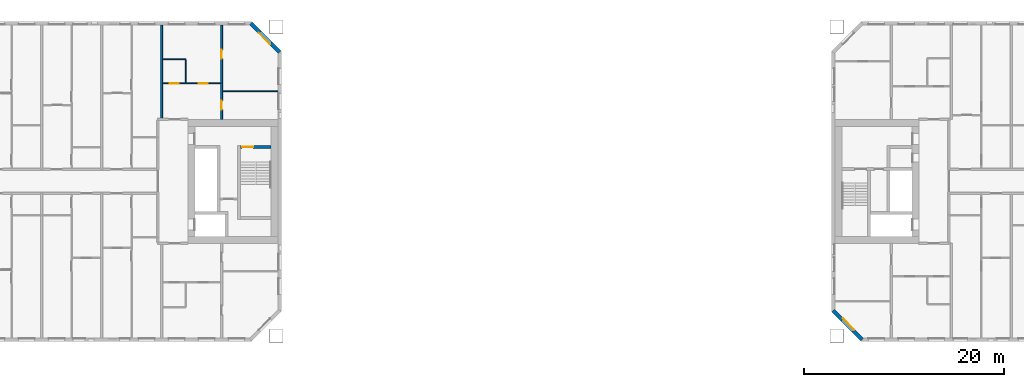
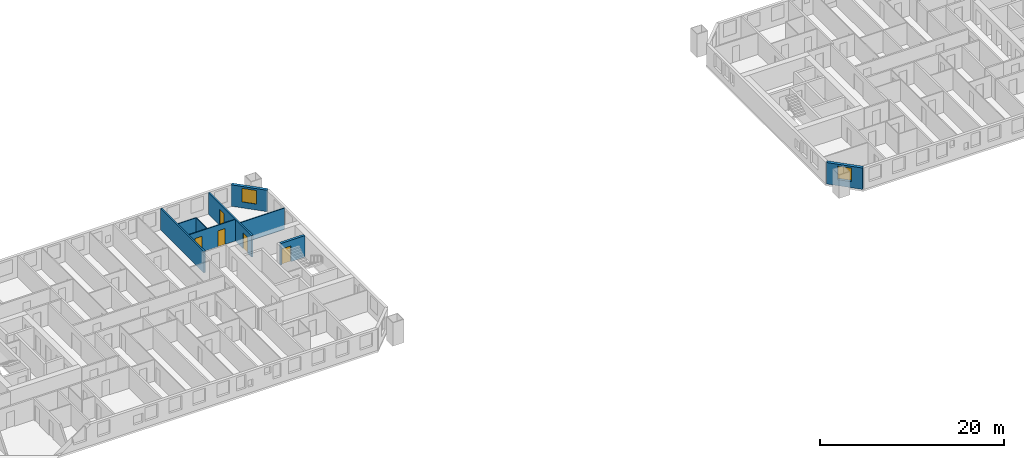
# One storey, part 8 of 17: 9 walls, 5 doors, 2 windows, 7 openings.
"""IFC4 building model written with IfcOpenShell, lengths in metres."""

from ifc_helpers import new_model, si_unit, direction, frame, frame_2d, origin, place, context, subcontext, project, spatial, rectangle, extrude, material, layer, layer_set, type_object, element, fill, save


model = new_model("IFC4")

# Units and contexts
model_context = context("Model", 3, precision=1e-05, world=origin(), true_north=direction((0.0, 1.0)))
body_context = subcontext(model_context, "Body", "Model", "MODEL_VIEW")
ifc_project = project(units=[si_unit("LENGTHUNIT", "METRE"), si_unit("AREAUNIT", "SQUARE_METRE"), si_unit("VOLUMEUNIT", "CUBIC_METRE"), si_unit("PLANEANGLEUNIT", "RADIAN"), si_unit("MASSUNIT", "GRAM", prefix="KILO")], contexts=[model_context])

# Site, building, storey
site_placement = place(None, origin())
site = spatial("IfcSite", under=ifc_project, at=site_placement, CompositionType="ELEMENT")
building_placement = place(site_placement, origin())
building = spatial("IfcBuilding", under=site, at=building_placement, Name="Tuart Gate Housing", CompositionType="ELEMENT")
storey_placement = place(building_placement, frame((0.0, 0.0, 80.89990234375)))
storey = spatial("IfcBuildingStorey", under=building, at=storey_placement, Name="L22", CompositionType="ELEMENT", Elevation=80.89990234375)

# Wall, opening, window
ifc_material_1 = material(Name="Brick", Category="masonry")
ifc_layer_1 = layer(ifc_material_1, 0.360107421875)
ifc_layer_set_1 = layer_set([ifc_layer_1], Name="Brick pier and spandrel wall 360")
wall_type_1 = type_object("IfcWallType", Name="Brick pier and spandrel wall 360", PredefinedType="STANDARD", material=ifc_layer_set_1)
wall_1_placement = place(storey_placement, frame((75.820068359375, 82.92529296875, 0.0), z_axis=(0.0, 0.0, 1.0), x_axis=(-0.707106781187, 0.707106781187, 0.0)))
wall_1 = element("IfcWall", 1, at=wall_1_placement, inside=storey, type_object=wall_type_1, Name="External wall A-NE L22", PredefinedType="STANDARD", context=body_context, shape_type="SweptSolid", body=[
    extrude(rectangle(XDim=4.09375, YDim=0.360107421875, at=frame_2d((2.046875, 0.0))), origin(), (0.0, 0.0, 1.0), 2.85009765625),
])
opening_1_placement = place(wall_1_placement, frame((1.2470703125, 0.0, 0.800048828125)))
opening_1 = element("IfcOpeningElement", 2, at=opening_1_placement, cuts=wall_1, Name="Opening W1", PredefinedType="OPENING", context=body_context, shape_type="SweptSolid", body=[
    extrude(rectangle(XDim=1.60009765625, YDim=1.800048828125, at=frame_2d((0.800048828125, 0.89990234375))), frame((0.0, 0.18994140625, 0.0), z_axis=(0.0, -1.0, 0.0), x_axis=(1.0, 0.0, 0.0)), (0.0, 0.0, 1.0), 0.380126953125),
])
ifc_material_2 = material(Name="Aluminium frame with clear glass", Category="aluminium")
window_type = type_object("IfcWindowType", Name="Punched window 1600 x 1800", PartitioningType="SINGLE_PANEL", PredefinedType="WINDOW", material=ifc_material_2)
window_1_placement = place(opening_1_placement, origin())
window_1 = element("IfcWindow", 3, at=window_1_placement, inside=storey, type_object=window_type, Name="Window W1", OverallHeight=1.800048828125, OverallWidth=1.60009765625, PartitioningType="SINGLE_PANEL", PredefinedType="WINDOW", context=body_context, shape_type="SweptSolid", body=[
    extrude(rectangle(XDim=1.60009765625, YDim=1.800048828125, at=frame_2d((0.800048828125, 0.89990234375))), frame((0.0, 0.150146484375, 0.0), z_axis=(0.0, -1.0, 0.0), x_axis=(1.0, 0.0, 0.0)), (0.0, 0.0, 1.0), 0.06005859375),
])
fill(opening_1, window_1)

wall_2_placement = place(storey_placement, frame((131.179931640625, 57.07470703125, 0.0), z_axis=(0.0, 0.0, 1.0), x_axis=(0.707106781187, -0.707106781187, 0.0)))
wall_2 = element("IfcWall", 4, at=wall_2_placement, inside=storey, type_object=wall_type_1, Name="External wall B-SW L22", PredefinedType="STANDARD", context=body_context, shape_type="SweptSolid", body=[
    extrude(rectangle(XDim=4.09375, YDim=0.360107421875, at=frame_2d((2.046875, 0.0))), origin(), (0.0, 0.0, 1.0), 2.85009765625),
])
opening_2_placement = place(wall_2_placement, frame((1.2470703125, 0.0, 0.800048828125)))
opening_2 = element("IfcOpeningElement", 5, at=opening_2_placement, cuts=wall_2, Name="Opening W1", PredefinedType="OPENING", context=body_context, shape_type="SweptSolid", body=[
    extrude(rectangle(XDim=1.60009765625, YDim=1.800048828125, at=frame_2d((0.800048828125, 0.89990234375))), frame((0.0, 0.18994140625, 0.0), z_axis=(0.0, -1.0, 0.0), x_axis=(1.0, 0.0, 0.0)), (0.0, 0.0, 1.0), 0.380126953125),
])
window_2_placement = place(opening_2_placement, origin())
window_2 = element("IfcWindow", 6, at=window_2_placement, inside=storey, type_object=window_type, Name="Window W1", OverallHeight=1.800048828125, OverallWidth=1.60009765625, PartitioningType="SINGLE_PANEL", PredefinedType="WINDOW", context=body_context, shape_type="SweptSolid", body=[
    extrude(rectangle(XDim=1.60009765625, YDim=1.800048828125, at=frame_2d((0.800048828125, 0.89990234375))), frame((0.0, 0.150146484375, 0.0), z_axis=(0.0, -1.0, 0.0), x_axis=(1.0, 0.0, 0.0)), (0.0, 0.0, 1.0), 0.06005859375),
])
fill(opening_2, window_2)

# Wall, opening, door
ifc_material_3 = material(Name="Concrete C50", Category="concrete")
ifc_layer_2 = layer(ifc_material_3, 0.300048828125)
ifc_layer_set_2 = layer_set([ifc_layer_2], Name="Core wall 300 C50")
wall_type_2 = type_object("IfcWallType", Name="Core wall 300 C50", PredefinedType="SHEAR", material=ifc_layer_set_2)
wall_3_placement = place(storey_placement, frame((71.889892578125, 73.449951171875, 0.0), z_axis=(0.0, 0.0, 1.0), x_axis=(1.0, 0.0, 0.0)))
wall_3 = element("IfcWall", 7, at=wall_3_placement, inside=storey, type_object=wall_type_2, Name="Core wall AG.5", PredefinedType="SHEAR", context=body_context, shape_type="SweptSolid", body=[
    extrude(rectangle(XDim=3.050048828125, YDim=0.300048828125, at=frame_2d((1.52490234375, 0.0))), origin(), (0.0, 0.0, 1.0), 2.85009765625),
])
opening_3_placement = place(wall_3_placement, frame((0.169921875, 0.0, 0.0)))
opening_3 = element("IfcOpeningElement", 8, at=opening_3_placement, cuts=wall_3, Name="Opening D974", PredefinedType="OPENING", context=body_context, shape_type="SweptSolid", body=[
    extrude(rectangle(XDim=1.10009765625, YDim=2.10009765625, at=frame_2d((0.550048828125, 1.050048828125))), frame((0.0, 0.159912109375, 0.0), z_axis=(0.0, -1.0, 0.0), x_axis=(1.0, 0.0, 0.0)), (0.0, 0.0, 1.0), 0.320068359375),
])
ifc_material_4 = material(Name="Steel fire door", Category="steel")
door_type_1 = type_object("IfcDoorType", Name="Stair door 1100 x 2100 RH", OperationType="SINGLE_SWING_RIGHT", PredefinedType="DOOR", material=ifc_material_4)
door_1_placement = place(opening_3_placement, frame((1.10009765625, 0.0, 0.0), z_axis=(0.0, 0.0, 1.0), x_axis=(-1.0, 0.0, 0.0)))
door_1 = element("IfcDoor", 9, at=door_1_placement, inside=storey, type_object=door_type_1, Name="Stair door AG.SD", OperationType="SINGLE_SWING_RIGHT", OverallHeight=2.10009765625, OverallWidth=1.10009765625, PredefinedType="DOOR", context=body_context, shape_type="SweptSolid", body=[
    extrude(rectangle(XDim=1.10009765625, YDim=2.10009765625, at=frame_2d((0.550048828125, 1.050048828125))), frame((0.0, 0.025146484375, 0.0), z_axis=(0.0, -1.0, 0.0), x_axis=(1.0, 0.0, 0.0)), (0.0, 0.0, 1.0), 0.050048828125),
])
fill(opening_3, door_1)

# Wall
ifc_material_5 = material(Name="Gypsum board on steel studs", Category="steel")
ifc_layer_3 = layer(ifc_material_5, 0.10009765625)
ifc_layer_set_3 = layer_set([ifc_layer_3], Name="Partition 100")
wall_type_3 = type_object("IfcWallType", Name="Partition 100", PredefinedType="PARTITIONING", material=ifc_layer_set_3)
wall_4_placement = place(storey_placement, frame((70.10009765625, 79.0, 0.0), z_axis=(0.0, 0.0, 1.0), x_axis=(1.0, 0.0, 0.0)))
element("IfcWall", 10, at=wall_4_placement, inside=storey, type_object=wall_type_3, Name="Partition 100", PredefinedType="PARTITIONING", context=body_context, shape_type="SweptSolid", body=[
    extrude(rectangle(XDim=5.539794921875, YDim=0.10009765625, at=frame_2d((2.77001953125, 0.0))), origin(), (0.0, 0.0, 1.0), 2.85009765625),
])

# Wall, openings, doors
wall_5_placement = place(storey_placement, frame((64.10009765625, 79.800048828125, 0.0), z_axis=(0.0, 0.0, 1.0), x_axis=(1.0, 0.0, 0.0)))
wall_5 = element("IfcWall", 11, at=wall_5_placement, inside=storey, type_object=wall_type_3, Name="Partition 100", PredefinedType="PARTITIONING", context=body_context, shape_type="SweptSolid", body=[
    extrude(rectangle(XDim=5.7998046875, YDim=0.10009765625, at=frame_2d((2.89990234375, 0.0))), origin(), (0.0, 0.0, 1.0), 2.85009765625),
])
opening_4_placement = place(wall_5_placement, frame((3.60009765625, 0.0, 0.0)))
opening_4 = element("IfcOpeningElement", 12, at=opening_4_placement, cuts=wall_5, Name="Opening D958", PredefinedType="OPENING", context=body_context, shape_type="SweptSolid", body=[
    extrude(rectangle(XDim=0.89990234375, YDim=2.10009765625, at=frame_2d((0.449951171875, 1.050048828125))), frame((0.0, 0.06005859375, 0.0), z_axis=(0.0, -1.0, 0.0), x_axis=(1.0, 0.0, 0.0)), (0.0, 0.0, 1.0), 0.1201171875),
])
opening_5_placement = place(wall_5_placement, frame((0.699951171875, 0.0, 0.0)))
opening_5 = element("IfcOpeningElement", 13, at=opening_5_placement, cuts=wall_5, Name="Opening D957", PredefinedType="OPENING", context=body_context, shape_type="SweptSolid", body=[
    extrude(rectangle(XDim=0.89990234375, YDim=2.10009765625, at=frame_2d((0.449951171875, 1.050048828125))), frame((0.0, 0.06005859375, 0.0), z_axis=(0.0, -1.0, 0.0), x_axis=(1.0, 0.0, 0.0)), (0.0, 0.0, 1.0), 0.1201171875),
])
ifc_material_6 = material(Name="Timber door leaf in steel frame", Category="steel")
door_type_2 = type_object("IfcDoorType", Name="Bathroom door 900 RH", OperationType="SINGLE_SWING_RIGHT", PredefinedType="DOOR", material=ifc_material_6)
door_2_placement = place(opening_5_placement, origin())
door_2 = element("IfcDoor", 14, at=door_2_placement, inside=storey, type_object=door_type_2, Name="Bathroom door", OperationType="SINGLE_SWING_RIGHT", OverallHeight=2.10009765625, OverallWidth=0.89990234375, PredefinedType="DOOR", context=body_context, shape_type="SweptSolid", body=[
    extrude(rectangle(XDim=0.89990234375, YDim=2.10009765625, at=frame_2d((0.449951171875, 1.050048828125))), frame((0.0, 0.02490234375, 0.0), z_axis=(0.0, -1.0, 0.0), x_axis=(1.0, 0.0, 0.0)), (0.0, 0.0, 1.0), 0.050048828125),
])
fill(opening_5, door_2)
ifc_material_7 = material(Name="Timber door leaf in steel frame", Category="steel")
door_type_3 = type_object("IfcDoorType", Name="Internal door 900", OperationType="SINGLE_SWING_LEFT", PredefinedType="DOOR", material=ifc_material_7)
door_3_placement = place(opening_4_placement, frame((0.89990234375, 0.0, 0.0), z_axis=(0.0, 0.0, 1.0), x_axis=(-1.0, 0.0, 0.0)))
door_3 = element("IfcDoor", 15, at=door_3_placement, inside=storey, type_object=door_type_3, Name="Internal door", OperationType="SINGLE_SWING_LEFT", OverallHeight=2.10009765625, OverallWidth=0.89990234375, PredefinedType="DOOR", context=body_context, shape_type="SweptSolid", body=[
    extrude(rectangle(XDim=0.89990234375, YDim=2.10009765625, at=frame_2d((0.449951171875, 1.050048828125))), frame((0.0, 0.025146484375, 0.0), z_axis=(0.0, -1.0, 0.0), x_axis=(1.0, 0.0, 0.0)), (0.0, 0.0, 1.0), 0.050048828125),
])
fill(opening_4, door_3)

# Walls
for number, where, z_axis, x_axis, name in (
    (16, (64.10009765625, 82.199951171875, 0.0), (0.0, 0.0, 1.0), (1.0, 0.0, 0.0), "Partition 100"),
    (17, (66.39990234375, 79.85009765625, 0.0), (0.0, 0.0, 1.0), (0.0, 1.0, 0.0), "Partition 100"),
):
    element("IfcWall", number, at=place(storey_placement, frame(where, z_axis=z_axis, x_axis=x_axis)), inside=storey, type_object=wall_type_3, Name=name, PredefinedType="PARTITIONING", context=body_context, shape_type="SweptSolid", body=[
        extrude(rectangle(XDim=2.2998046875, YDim=0.10009765625, at=frame_2d((1.14990234375, 0.0))), origin(), (0.0, 0.0, 1.0), 2.85009765625),
    ])
ifc_material_8 = material(Name="Concrete C40", Category="concrete")
ifc_layer_4 = layer(ifc_material_8, 0.199951171875)
ifc_layer_set_4 = layer_set([ifc_layer_4], Name="Party wall concrete C40 200")
wall_type_4 = type_object("IfcWallType", Name="Party wall concrete C40 200", PredefinedType="SOLIDWALL", material=ifc_layer_set_4)
wall_6_placement = place(storey_placement, frame((64.0, 76.199951171875, 0.0), z_axis=(0.0, 0.0, 1.0), x_axis=(0.0, 1.0, 0.0)))
element("IfcWall", 18, at=wall_6_placement, inside=storey, type_object=wall_type_4, Name="Party wall concrete C40 200", PredefinedType="SOLIDWALL", context=body_context, shape_type="SweptSolid", body=[
    extrude(rectangle(XDim=9.43994140625, YDim=0.199951171875, at=frame_2d((4.719970703125, 0.0))), origin(), (0.0, 0.0, 1.0), 2.85009765625),
])

# Wall, openings, doors
wall_7_placement = place(storey_placement, frame((70.0, 76.199951171875, 0.0), z_axis=(0.0, 0.0, 1.0), x_axis=(0.0, 1.0, 0.0)))
wall_7 = element("IfcWall", 19, at=wall_7_placement, inside=storey, type_object=wall_type_4, Name="Party wall concrete C40 200", PredefinedType="SOLIDWALL", context=body_context, shape_type="SweptSolid", body=[
    extrude(rectangle(XDim=9.43994140625, YDim=0.199951171875, at=frame_2d((4.719970703125, 0.0))), origin(), (0.0, 0.0, 1.0), 2.85009765625),
])
opening_6_placement = place(wall_7_placement, frame((6.070068359375, 0.0, 0.0)))
opening_6 = element("IfcOpeningElement", 20, at=opening_6_placement, cuts=wall_7, Name="Opening D955", PredefinedType="OPENING", context=body_context, shape_type="SweptSolid", body=[
    extrude(rectangle(XDim=0.89990234375, YDim=2.10009765625, at=frame_2d((0.449951171875, 1.050048828125))), frame((0.0, 0.10986328125, 0.0), z_axis=(0.0, -1.0, 0.0), x_axis=(1.0, 0.0, 0.0)), (0.0, 0.0, 1.0), 0.219970703125),
])
opening_7_placement = place(wall_7_placement, frame((0.949951171875, 0.0, 0.0)))
opening_7 = element("IfcOpeningElement", 21, at=opening_7_placement, cuts=wall_7, Name="Opening D956", PredefinedType="OPENING", context=body_context, shape_type="SweptSolid", body=[
    extrude(rectangle(XDim=0.89990234375, YDim=2.10009765625, at=frame_2d((0.449951171875, 1.050048828125))), frame((0.0, 0.10986328125, 0.0), z_axis=(0.0, -1.0, 0.0), x_axis=(1.0, 0.0, 0.0)), (0.0, 0.0, 1.0), 0.219970703125),
])
door_4_placement = place(opening_6_placement, frame((0.89990234375, 0.0, 0.0), z_axis=(0.0, 0.0, 1.0), x_axis=(-1.0, 0.0, 0.0)))
door_4 = element("IfcDoor", 22, at=door_4_placement, inside=storey, type_object=door_type_3, Name="Internal door", OperationType="SINGLE_SWING_LEFT", OverallHeight=2.10009765625, OverallWidth=0.89990234375, PredefinedType="DOOR", context=body_context, shape_type="SweptSolid", body=[
    extrude(rectangle(XDim=0.89990234375, YDim=2.10009765625, at=frame_2d((0.449951171875, 1.050048828125))), frame((0.0, 0.025146484375, 0.0), z_axis=(0.0, -1.0, 0.0), x_axis=(1.0, 0.0, 0.0)), (0.0, 0.0, 1.0), 0.050048828125),
])
fill(opening_6, door_4)
ifc_material_9 = material(Name="Timber door leaf in steel frame", Category="steel")
door_type_4 = type_object("IfcDoorType", Name="Internal door 900 RH", OperationType="SINGLE_SWING_RIGHT", PredefinedType="DOOR", material=ifc_material_9)
door_5_placement = place(opening_7_placement, frame((0.89990234375, 0.0, 0.0), z_axis=(0.0, 0.0, 1.0), x_axis=(-1.0, 0.0, 0.0)))
door_5 = element("IfcDoor", 23, at=door_5_placement, inside=storey, type_object=door_type_4, Name="Internal door", OperationType="SINGLE_SWING_RIGHT", OverallHeight=2.10009765625, OverallWidth=0.89990234375, PredefinedType="DOOR", context=body_context, shape_type="SweptSolid", body=[
    extrude(rectangle(XDim=0.89990234375, YDim=2.10009765625, at=frame_2d((0.449951171875, 1.050048828125))), frame((0.0, 0.025146484375, 0.0), z_axis=(0.0, -1.0, 0.0), x_axis=(1.0, 0.0, 0.0)), (0.0, 0.0, 1.0), 0.050048828125),
])
fill(opening_7, door_5)

save(model, "model.ifc")
